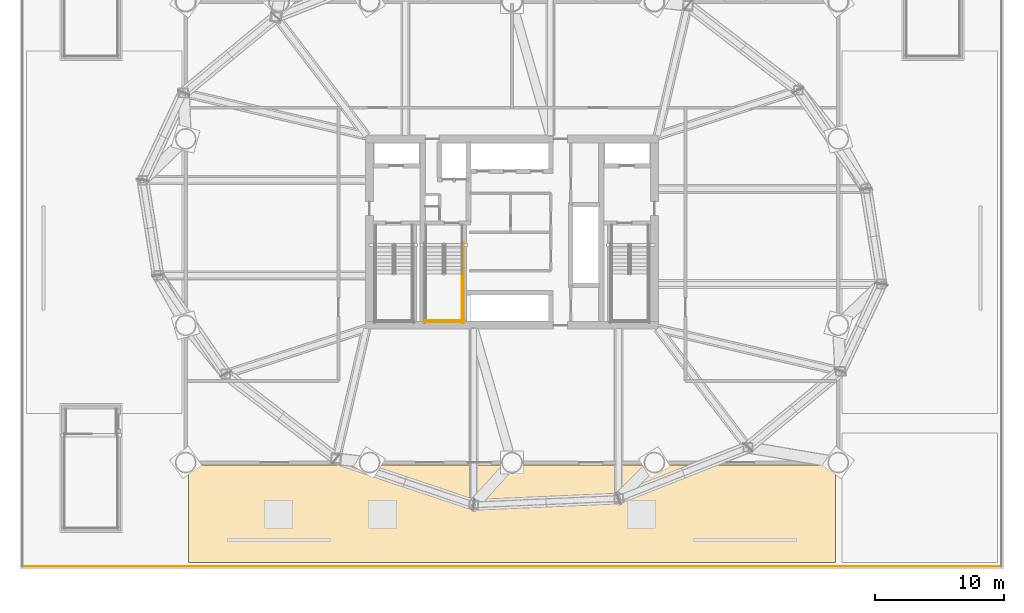
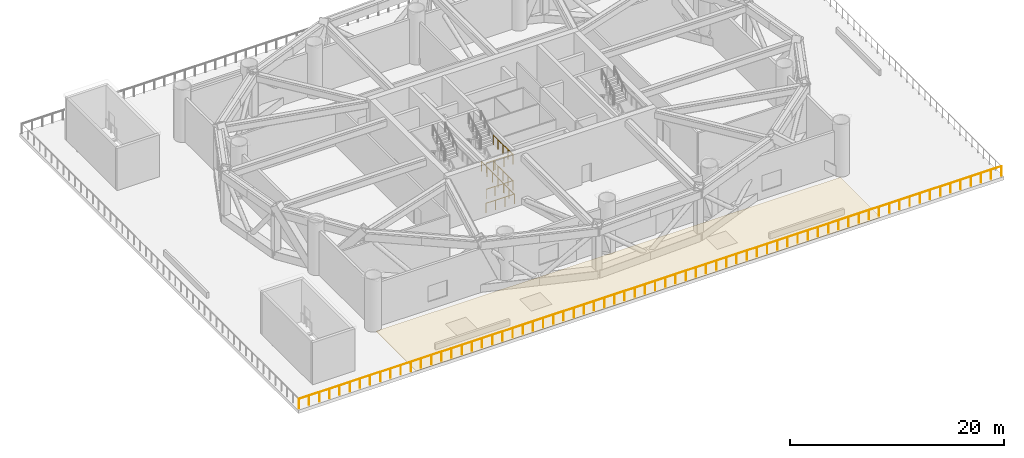
# One storey, part 12 of 14: 7 railings, 1 covering.
"""IFC4 building model written with IfcOpenShell, lengths in metres."""

from ifc_helpers import new_model, si_unit, direction, frame, origin, origin_2d, place, context, subcontext, project, spatial, polyline, circle, outline, extrude, material, layer, layer_set, type_object, element, save


model = new_model("IFC4")

# Units and contexts
model_context = context("Model", 3, precision=1e-05, world=origin(), true_north=direction((0.0, 1.0)))
body_context = subcontext(model_context, "Body", "Model", "MODEL_VIEW")
ifc_project = project(units=[si_unit("LENGTHUNIT", "METRE"), si_unit("AREAUNIT", "SQUARE_METRE"), si_unit("VOLUMEUNIT", "CUBIC_METRE"), si_unit("PLANEANGLEUNIT", "RADIAN"), si_unit("MASSUNIT", "GRAM", prefix="KILO")], contexts=[model_context])

# Site, building, storey
site_placement = place(None, origin())
site = spatial("IfcSite", under=ifc_project, at=site_placement, CompositionType="ELEMENT")
building_placement = place(site_placement, origin())
building = spatial("IfcBuilding", under=site, at=building_placement, Name="Bramvorn Convention Spire", CompositionType="ELEMENT")
storey_placement = place(building_placement, frame((0.0, 0.0, 35.39990234375)))
storey = spatial("IfcBuildingStorey", under=building, at=storey_placement, Name="L06", CompositionType="ELEMENT", Elevation=35.39990234375)

# Covering
ifc_material_1 = material(Name="SBS Modified Bitumen Waterproofing Membrane", Category="membrane")
ifc_layer = layer(ifc_material_1, 0.0400390625)
ifc_layer_set = layer_set([ifc_layer], Name="SBS Modified Bitumen Waterproofing Membrane - COV-ROOF-MEMB-40")
covering_type = type_object("IfcCoveringType", Name="COV-ROOF-MEMB-40", PredefinedType="ROOFING", material=ifc_layer_set)
covering_placement = place(storey_placement, frame((0.0, 0.0, -0.419921875)))
element("IfcCovering", 1, at=covering_placement, inside=storey, type_object=covering_type, Name="L06 raised garden waterproofing membrane zone 1", PredefinedType="ROOFING", context=body_context, shape_type="SweptSolid", body=[
    extrude(outline(polyline([(13.0, 0.5), (63.0, 0.5), (63.0, 8.0), (13.0, 8.0), (13.0, 0.5)])), origin(), (0.0, 0.0, 1.0), 0.0400390625),
])

# Railings
ifc_material_2 = material(Name="Painted Steel Balustrade & Guardrail", Category="steel")
railing_type_1 = type_object("IfcRailingType", Name="RL-STAIR-GUARD-1100", PredefinedType="GUARDRAIL", material=ifc_material_2)
railing_1_placement = place(storey_placement, frame((34.14990234375, 22.77001953125, 1.5)))
element("IfcRailing", 2, at=railing_1_placement, inside=storey, type_object=railing_type_1, Name="L06 ST3 stair guard 4", PredefinedType="GUARDRAIL", context=body_context, shape_type="SweptSolid", body=[
    extrude(circle(Radius=0.02392578125, at=origin_2d()), frame((0.0, 0.0, 1.076171875), z_axis=(0.0, -1.0, 0.0), x_axis=(1.0, 0.0, 0.0)), (0.0, 0.0, 1.0), 3.669921875),
    extrude(circle(Radius=0.02099609375, at=origin_2d()), origin(), (0.0, 0.0, 1.0), 1.052001953125),
    extrude(circle(Radius=0.02099609375, at=origin_2d()), frame((0.0, -0.91748046875, 0.0)), (0.0, 0.0, 1.0), 1.052001953125),
    extrude(circle(Radius=0.02099609375, at=origin_2d()), frame((0.0, -1.8349609375, 0.0)), (0.0, 0.0, 1.0), 1.052001953125),
    extrude(circle(Radius=0.02099609375, at=origin_2d()), frame((0.0, -2.75244140625, 0.0)), (0.0, 0.0, 1.0), 1.052001953125),
    extrude(circle(Radius=0.02099609375, at=origin_2d()), frame((0.0, -3.669921875, 0.0)), (0.0, 0.0, 1.0), 1.052001953125),
])
railing_2_placement = place(storey_placement, frame((31.300048828125, 19.14990234375, 1.5)))
element("IfcRailing", 3, at=railing_2_placement, inside=storey, type_object=railing_type_1, Name="L06 ST3 stair guard 5", PredefinedType="GUARDRAIL", context=body_context, shape_type="SweptSolid", body=[
    extrude(circle(Radius=0.02392578125, at=origin_2d()), frame((0.0, 0.0, 1.076171875), z_axis=(1.0, 0.0, 0.0), x_axis=(0.0, 1.0, 0.0)), (0.0, 0.0, 1.0), 2.89990234375),
    extrude(circle(Radius=0.02099609375, at=origin_2d()), origin(), (0.0, 0.0, 1.0), 1.052001953125),
    extrude(circle(Radius=0.02099609375, at=origin_2d()), frame((0.966552734375, 0.0, 0.0)), (0.0, 0.0, 1.0), 1.052001953125),
    extrude(circle(Radius=0.02099609375, at=origin_2d()), frame((1.933349609375, 0.0, 0.0)), (0.0, 0.0, 1.0), 1.052001953125),
    extrude(circle(Radius=0.02099609375, at=origin_2d()), frame((2.89990234375, 0.0, 0.0)), (0.0, 0.0, 1.0), 1.052001953125),
])
railing_3_placement = place(storey_placement, frame((34.14990234375, 22.77001953125, 4.5)))
element("IfcRailing", 4, at=railing_3_placement, inside=storey, type_object=railing_type_1, Name="L06 ST3 stair guard 13", PredefinedType="GUARDRAIL", context=body_context, shape_type="SweptSolid", body=[
    extrude(circle(Radius=0.02392578125, at=origin_2d()), frame((0.0, 0.0, 1.076171875), z_axis=(0.0, -1.0, 0.0), x_axis=(1.0, 0.0, 0.0)), (0.0, 0.0, 1.0), 3.669921875),
    extrude(circle(Radius=0.02099609375, at=origin_2d()), origin(), (0.0, 0.0, 1.0), 1.052001953125),
    extrude(circle(Radius=0.02099609375, at=origin_2d()), frame((0.0, -0.91748046875, 0.0)), (0.0, 0.0, 1.0), 1.052001953125),
    extrude(circle(Radius=0.02099609375, at=origin_2d()), frame((0.0, -1.8349609375, 0.0)), (0.0, 0.0, 1.0), 1.052001953125),
    extrude(circle(Radius=0.02099609375, at=origin_2d()), frame((0.0, -2.75244140625, 0.0)), (0.0, 0.0, 1.0), 1.052001953125),
    extrude(circle(Radius=0.02099609375, at=origin_2d()), frame((0.0, -3.669921875, 0.0)), (0.0, 0.0, 1.0), 1.052001953125),
])
railing_4_placement = place(storey_placement, frame((31.300048828125, 19.14990234375, 4.5)))
element("IfcRailing", 5, at=railing_4_placement, inside=storey, type_object=railing_type_1, Name="L06 ST3 stair guard 14", PredefinedType="GUARDRAIL", context=body_context, shape_type="SweptSolid", body=[
    extrude(circle(Radius=0.02392578125, at=origin_2d()), frame((0.0, 0.0, 1.076171875), z_axis=(1.0, 0.0, 0.0), x_axis=(0.0, 1.0, 0.0)), (0.0, 0.0, 1.0), 2.89990234375),
    extrude(circle(Radius=0.02099609375, at=origin_2d()), origin(), (0.0, 0.0, 1.0), 1.052001953125),
    extrude(circle(Radius=0.02099609375, at=origin_2d()), frame((0.966552734375, 0.0, 0.0)), (0.0, 0.0, 1.0), 1.052001953125),
    extrude(circle(Radius=0.02099609375, at=origin_2d()), frame((1.933349609375, 0.0, 0.0)), (0.0, 0.0, 1.0), 1.052001953125),
    extrude(circle(Radius=0.02099609375, at=origin_2d()), frame((2.89990234375, 0.0, 0.0)), (0.0, 0.0, 1.0), 1.052001953125),
])
railing_5_placement = place(storey_placement, frame((34.25, 25.14990234375, 0.0)))
element("IfcRailing", 6, at=railing_5_placement, inside=storey, type_object=railing_type_1, Name="L06 ST3 stair guard 20", PredefinedType="GUARDRAIL", context=body_context, shape_type="SweptSolid", body=[
    extrude(circle(Radius=0.02392578125, at=origin_2d()), frame((0.0, 0.0, 1.076171875), z_axis=(0.0, -1.0, 0.0), x_axis=(1.0, 0.0, 0.0)), (0.0, 0.0, 1.0), 6.14990234375),
    extrude(circle(Radius=0.02099609375, at=origin_2d()), origin(), (0.0, 0.0, 1.0), 1.052001953125),
    extrude(circle(Radius=0.02099609375, at=origin_2d()), frame((0.0, -1.02490234375, 0.0)), (0.0, 0.0, 1.0), 1.052001953125),
    extrude(circle(Radius=0.02099609375, at=origin_2d()), frame((0.0, -2.050048828125, 0.0)), (0.0, 0.0, 1.0), 1.052001953125),
    extrude(circle(Radius=0.02099609375, at=origin_2d()), frame((0.0, -3.074951171875, 0.0)), (0.0, 0.0, 1.0), 1.052001953125),
    extrude(circle(Radius=0.02099609375, at=origin_2d()), frame((0.0, -4.099853515625, 0.0)), (0.0, 0.0, 1.0), 1.052001953125),
    extrude(circle(Radius=0.02099609375, at=origin_2d()), frame((0.0, -5.125, 0.0)), (0.0, 0.0, 1.0), 1.052001953125),
    extrude(circle(Radius=0.02099609375, at=origin_2d()), frame((0.0, -6.14990234375, 0.0)), (0.0, 0.0, 1.0), 1.052001953125),
])
railing_6_placement = place(storey_placement, frame((31.199951171875, 19.050048828125, 0.0)))
element("IfcRailing", 7, at=railing_6_placement, inside=storey, type_object=railing_type_1, Name="L06 ST3 stair guard 21", PredefinedType="GUARDRAIL", context=body_context, shape_type="SweptSolid", body=[
    extrude(circle(Radius=0.02392578125, at=origin_2d()), frame((0.0, 0.0, 1.076171875), z_axis=(1.0, 0.0, 0.0), x_axis=(0.0, 1.0, 0.0)), (0.0, 0.0, 1.0), 3.10009765625),
    extrude(circle(Radius=0.02099609375, at=origin_2d()), origin(), (0.0, 0.0, 1.0), 1.052001953125),
    extrude(circle(Radius=0.02099609375, at=origin_2d()), frame((1.033447265625, 0.0, 0.0)), (0.0, 0.0, 1.0), 1.052001953125),
    extrude(circle(Radius=0.02099609375, at=origin_2d()), frame((2.066650390625, 0.0, 0.0)), (0.0, 0.0, 1.0), 1.052001953125),
    extrude(circle(Radius=0.02099609375, at=origin_2d()), frame((3.10009765625, 0.0, 0.0)), (0.0, 0.0, 1.0), 1.052001953125),
])
ifc_material_3 = material(Name="Bronze Cap-Rail & Laminated Structural Glass Balustrade", Category="glass")
railing_type_2 = type_object("IfcRailingType", Name="RL-TERR-GUARD-1150", PredefinedType="GUARDRAIL", material=ifc_material_3)
railing_7_placement = place(storey_placement, frame((0.179931640625, 0.179931640625, 0.0)))
element("IfcRailing", 8, at=railing_7_placement, inside=storey, type_object=railing_type_2, Name="L06 Raised Public Garden perimeter safety guardrail side 1", PredefinedType="GUARDRAIL", context=body_context, shape_type="SweptSolid", body=[
    extrude(circle(Radius=0.02392578125, at=origin_2d()), frame((0.0, 0.0, 1.1259765625), z_axis=(1.0, 0.0, 0.0), x_axis=(0.0, 1.0, 0.0)), (0.0, 0.0, 1.0), 75.64013671875),
    extrude(circle(Radius=0.02099609375, at=origin_2d()), origin(), (0.0, 0.0, 1.0), 1.101806640625),
    extrude(circle(Radius=0.02099609375, at=origin_2d()), frame((1.09619140625, 0.0, 0.0)), (0.0, 0.0, 1.0), 1.101806640625),
    extrude(circle(Radius=0.02099609375, at=origin_2d()), frame((2.1923828125, 0.0, 0.0)), (0.0, 0.0, 1.0), 1.101806640625),
    extrude(circle(Radius=0.02099609375, at=origin_2d()), frame((3.288818359375, 0.0, 0.0)), (0.0, 0.0, 1.0), 1.101806640625),
    extrude(circle(Radius=0.02099609375, at=origin_2d()), frame((4.385009765625, 0.0, 0.0)), (0.0, 0.0, 1.0), 1.101806640625),
    extrude(circle(Radius=0.02099609375, at=origin_2d()), frame((5.481201171875, 0.0, 0.0)), (0.0, 0.0, 1.0), 1.101806640625),
    extrude(circle(Radius=0.02099609375, at=origin_2d()), frame((6.577392578125, 0.0, 0.0)), (0.0, 0.0, 1.0), 1.101806640625),
    extrude(circle(Radius=0.02099609375, at=origin_2d()), frame((7.673583984375, 0.0, 0.0)), (0.0, 0.0, 1.0), 1.101806640625),
    extrude(circle(Radius=0.02099609375, at=origin_2d()), frame((8.769775390625, 0.0, 0.0)), (0.0, 0.0, 1.0), 1.101806640625),
    extrude(circle(Radius=0.02099609375, at=origin_2d()), frame((9.8662109375, 0.0, 0.0)), (0.0, 0.0, 1.0), 1.101806640625),
    extrude(circle(Radius=0.02099609375, at=origin_2d()), frame((10.96240234375, 0.0, 0.0)), (0.0, 0.0, 1.0), 1.101806640625),
    extrude(circle(Radius=0.02099609375, at=origin_2d()), frame((12.05859375, 0.0, 0.0)), (0.0, 0.0, 1.0), 1.101806640625),
    extrude(circle(Radius=0.02099609375, at=origin_2d()), frame((13.15478515625, 0.0, 0.0)), (0.0, 0.0, 1.0), 1.101806640625),
    extrude(circle(Radius=0.02099609375, at=origin_2d()), frame((14.2509765625, 0.0, 0.0)), (0.0, 0.0, 1.0), 1.101806640625),
    extrude(circle(Radius=0.02099609375, at=origin_2d()), frame((15.34716796875, 0.0, 0.0)), (0.0, 0.0, 1.0), 1.101806640625),
    extrude(circle(Radius=0.02099609375, at=origin_2d()), frame((16.443603515625, 0.0, 0.0)), (0.0, 0.0, 1.0), 1.101806640625),
    extrude(circle(Radius=0.02099609375, at=origin_2d()), frame((17.539794921875, 0.0, 0.0)), (0.0, 0.0, 1.0), 1.101806640625),
    extrude(circle(Radius=0.02099609375, at=origin_2d()), frame((18.635986328125, 0.0, 0.0)), (0.0, 0.0, 1.0), 1.101806640625),
    extrude(circle(Radius=0.02099609375, at=origin_2d()), frame((19.732177734375, 0.0, 0.0)), (0.0, 0.0, 1.0), 1.101806640625),
    extrude(circle(Radius=0.02099609375, at=origin_2d()), frame((20.828369140625, 0.0, 0.0)), (0.0, 0.0, 1.0), 1.101806640625),
    extrude(circle(Radius=0.02099609375, at=origin_2d()), frame((21.924560546875, 0.0, 0.0)), (0.0, 0.0, 1.0), 1.101806640625),
    extrude(circle(Radius=0.02099609375, at=origin_2d()), frame((23.02099609375, 0.0, 0.0)), (0.0, 0.0, 1.0), 1.101806640625),
    extrude(circle(Radius=0.02099609375, at=origin_2d()), frame((24.1171875, 0.0, 0.0)), (0.0, 0.0, 1.0), 1.101806640625),
    extrude(circle(Radius=0.02099609375, at=origin_2d()), frame((25.21337890625, 0.0, 0.0)), (0.0, 0.0, 1.0), 1.101806640625),
    extrude(circle(Radius=0.02099609375, at=origin_2d()), frame((26.3095703125, 0.0, 0.0)), (0.0, 0.0, 1.0), 1.101806640625),
    extrude(circle(Radius=0.02099609375, at=origin_2d()), frame((27.40576171875, 0.0, 0.0)), (0.0, 0.0, 1.0), 1.101806640625),
    extrude(circle(Radius=0.02099609375, at=origin_2d()), frame((28.502197265625, 0.0, 0.0)), (0.0, 0.0, 1.0), 1.101806640625),
    extrude(circle(Radius=0.02099609375, at=origin_2d()), frame((29.598388671875, 0.0, 0.0)), (0.0, 0.0, 1.0), 1.101806640625),
    extrude(circle(Radius=0.02099609375, at=origin_2d()), frame((30.694580078125, 0.0, 0.0)), (0.0, 0.0, 1.0), 1.101806640625),
    extrude(circle(Radius=0.02099609375, at=origin_2d()), frame((31.790771484375, 0.0, 0.0)), (0.0, 0.0, 1.0), 1.101806640625),
    extrude(circle(Radius=0.02099609375, at=origin_2d()), frame((32.886962890625, 0.0, 0.0)), (0.0, 0.0, 1.0), 1.101806640625),
    extrude(circle(Radius=0.02099609375, at=origin_2d()), frame((33.983154296875, 0.0, 0.0)), (0.0, 0.0, 1.0), 1.101806640625),
    extrude(circle(Radius=0.02099609375, at=origin_2d()), frame((35.07958984375, 0.0, 0.0)), (0.0, 0.0, 1.0), 1.101806640625),
    extrude(circle(Radius=0.02099609375, at=origin_2d()), frame((36.17578125, 0.0, 0.0)), (0.0, 0.0, 1.0), 1.101806640625),
    extrude(circle(Radius=0.02099609375, at=origin_2d()), frame((37.27197265625, 0.0, 0.0)), (0.0, 0.0, 1.0), 1.101806640625),
    extrude(circle(Radius=0.02099609375, at=origin_2d()), frame((38.3681640625, 0.0, 0.0)), (0.0, 0.0, 1.0), 1.101806640625),
    extrude(circle(Radius=0.02099609375, at=origin_2d()), frame((39.46435546875, 0.0, 0.0)), (0.0, 0.0, 1.0), 1.101806640625),
    extrude(circle(Radius=0.02099609375, at=origin_2d()), frame((40.560546875, 0.0, 0.0)), (0.0, 0.0, 1.0), 1.101806640625),
    extrude(circle(Radius=0.02099609375, at=origin_2d()), frame((41.656982421875, 0.0, 0.0)), (0.0, 0.0, 1.0), 1.101806640625),
    extrude(circle(Radius=0.02099609375, at=origin_2d()), frame((42.753173828125, 0.0, 0.0)), (0.0, 0.0, 1.0), 1.101806640625),
    extrude(circle(Radius=0.02099609375, at=origin_2d()), frame((43.849365234375, 0.0, 0.0)), (0.0, 0.0, 1.0), 1.101806640625),
    extrude(circle(Radius=0.02099609375, at=origin_2d()), frame((44.945556640625, 0.0, 0.0)), (0.0, 0.0, 1.0), 1.101806640625),
    extrude(circle(Radius=0.02099609375, at=origin_2d()), frame((46.041748046875, 0.0, 0.0)), (0.0, 0.0, 1.0), 1.101806640625),
    extrude(circle(Radius=0.02099609375, at=origin_2d()), frame((47.137939453125, 0.0, 0.0)), (0.0, 0.0, 1.0), 1.101806640625),
    extrude(circle(Radius=0.02099609375, at=origin_2d()), frame((48.234375, 0.0, 0.0)), (0.0, 0.0, 1.0), 1.101806640625),
    extrude(circle(Radius=0.02099609375, at=origin_2d()), frame((49.33056640625, 0.0, 0.0)), (0.0, 0.0, 1.0), 1.101806640625),
    extrude(circle(Radius=0.02099609375, at=origin_2d()), frame((50.4267578125, 0.0, 0.0)), (0.0, 0.0, 1.0), 1.101806640625),
    extrude(circle(Radius=0.02099609375, at=origin_2d()), frame((51.52294921875, 0.0, 0.0)), (0.0, 0.0, 1.0), 1.101806640625),
    extrude(circle(Radius=0.02099609375, at=origin_2d()), frame((52.619140625, 0.0, 0.0)), (0.0, 0.0, 1.0), 1.101806640625),
    extrude(circle(Radius=0.02099609375, at=origin_2d()), frame((53.715576171875, 0.0, 0.0)), (0.0, 0.0, 1.0), 1.101806640625),
    extrude(circle(Radius=0.02099609375, at=origin_2d()), frame((54.811767578125, 0.0, 0.0)), (0.0, 0.0, 1.0), 1.101806640625),
    extrude(circle(Radius=0.02099609375, at=origin_2d()), frame((55.907958984375, 0.0, 0.0)), (0.0, 0.0, 1.0), 1.101806640625),
    extrude(circle(Radius=0.02099609375, at=origin_2d()), frame((57.004150390625, 0.0, 0.0)), (0.0, 0.0, 1.0), 1.101806640625),
    extrude(circle(Radius=0.02099609375, at=origin_2d()), frame((58.100341796875, 0.0, 0.0)), (0.0, 0.0, 1.0), 1.101806640625),
    extrude(circle(Radius=0.02099609375, at=origin_2d()), frame((59.196533203125, 0.0, 0.0)), (0.0, 0.0, 1.0), 1.101806640625),
    extrude(circle(Radius=0.02099609375, at=origin_2d()), frame((60.29296875, 0.0, 0.0)), (0.0, 0.0, 1.0), 1.101806640625),
    extrude(circle(Radius=0.02099609375, at=origin_2d()), frame((61.38916015625, 0.0, 0.0)), (0.0, 0.0, 1.0), 1.101806640625),
    extrude(circle(Radius=0.02099609375, at=origin_2d()), frame((62.4853515625, 0.0, 0.0)), (0.0, 0.0, 1.0), 1.101806640625),
    extrude(circle(Radius=0.02099609375, at=origin_2d()), frame((63.58154296875, 0.0, 0.0)), (0.0, 0.0, 1.0), 1.101806640625),
    extrude(circle(Radius=0.02099609375, at=origin_2d()), frame((64.677734375, 0.0, 0.0)), (0.0, 0.0, 1.0), 1.101806640625),
    extrude(circle(Radius=0.02099609375, at=origin_2d()), frame((65.77392578125, 0.0, 0.0)), (0.0, 0.0, 1.0), 1.101806640625),
    extrude(circle(Radius=0.02099609375, at=origin_2d()), frame((66.870361328125, 0.0, 0.0)), (0.0, 0.0, 1.0), 1.101806640625),
    extrude(circle(Radius=0.02099609375, at=origin_2d()), frame((67.966552734375, 0.0, 0.0)), (0.0, 0.0, 1.0), 1.101806640625),
    extrude(circle(Radius=0.02099609375, at=origin_2d()), frame((69.062744140625, 0.0, 0.0)), (0.0, 0.0, 1.0), 1.101806640625),
    extrude(circle(Radius=0.02099609375, at=origin_2d()), frame((70.158935546875, 0.0, 0.0)), (0.0, 0.0, 1.0), 1.101806640625),
    extrude(circle(Radius=0.02099609375, at=origin_2d()), frame((71.255126953125, 0.0, 0.0)), (0.0, 0.0, 1.0), 1.101806640625),
    extrude(circle(Radius=0.02099609375, at=origin_2d()), frame((72.351318359375, 0.0, 0.0)), (0.0, 0.0, 1.0), 1.101806640625),
    extrude(circle(Radius=0.02099609375, at=origin_2d()), frame((73.44775390625, 0.0, 0.0)), (0.0, 0.0, 1.0), 1.101806640625),
    extrude(circle(Radius=0.02099609375, at=origin_2d()), frame((74.5439453125, 0.0, 0.0)), (0.0, 0.0, 1.0), 1.101806640625),
    extrude(circle(Radius=0.02099609375, at=origin_2d()), frame((75.64013671875, 0.0, 0.0)), (0.0, 0.0, 1.0), 1.101806640625),
])

save(model, "model.ifc")
